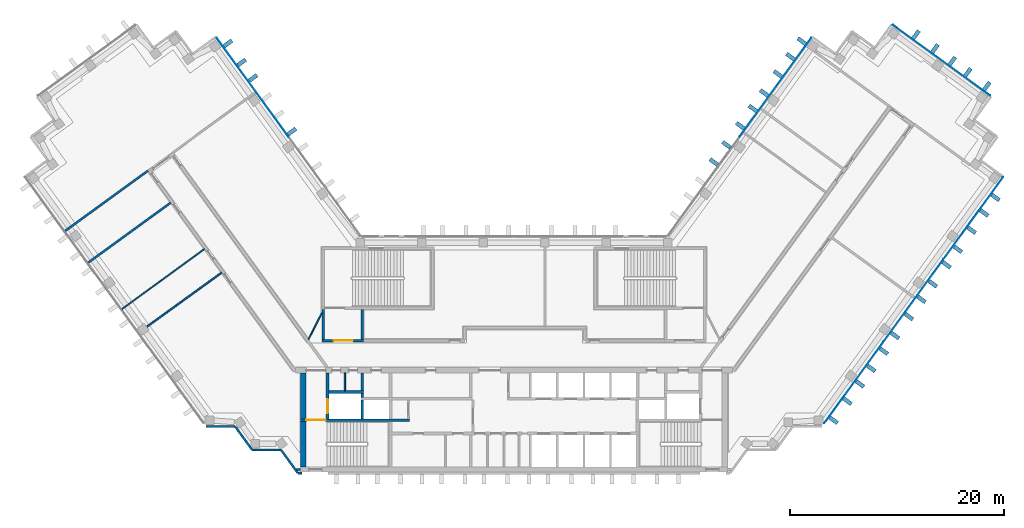
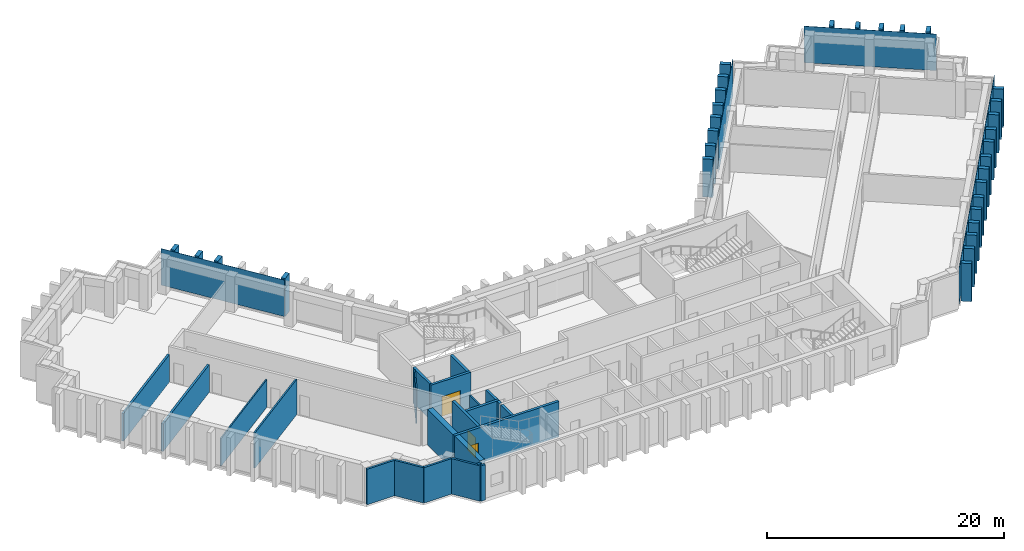
"""IFC4 building model written with IfcOpenShell, lengths in metres."""

from ifc_helpers import new_model, si_unit, direction, frame, frame_2d, origin, origin_2d, place, context, subcontext, project, spatial, rectangle, extrude, material, layer, layer_set, type_object, element, fill, aggregate, save


model = new_model("IFC4")

# Units and contexts
model_context = context("Model", 3, precision=1e-05, world=origin(), true_north=direction((0.0, 1.0)))
body_context = subcontext(model_context, "Body", "Model", "MODEL_VIEW")
ifc_project = project(units=[si_unit("LENGTHUNIT", "METRE"), si_unit("AREAUNIT", "SQUARE_METRE"), si_unit("VOLUMEUNIT", "CUBIC_METRE"), si_unit("PLANEANGLEUNIT", "RADIAN"), si_unit("MASSUNIT", "GRAM", prefix="KILO")], contexts=[model_context])

# Site, building, storey
site_placement = place(None, origin())
site = spatial("IfcSite", under=ifc_project, at=site_placement, CompositionType="ELEMENT")
building_placement = place(site_placement, origin())
building = spatial("IfcBuilding", under=site, at=building_placement, Name="Quipu Civic Tower", CompositionType="ELEMENT")
storey_1_placement = place(building_placement, frame((0.0, 0.0, 172.0)))
storey_1 = spatial("IfcBuildingStorey", under=building, at=storey_1_placement, Name="L40", CompositionType="ELEMENT", Elevation=172.0)

# Curtain wall
ifc_material_1 = material(Name="Insulated glass unit", Category="glass")
curtain_wall_type = type_object("IfcCurtainWallType", Name="Office curtain wall CW1", PredefinedType="NOTDEFINED", material=ifc_material_1)
curtain_wall_1_placement = place(storey_1_placement, origin())
curtain_wall_1 = element("IfcCurtainWall", 1, at=curtain_wall_1_placement, inside=storey_1, type_object=curtain_wall_type, Name="Office curtain wall CW1 L39 run 1", PredefinedType="NOTDEFINED")

# Storey
storey_2_placement = place(building_placement, frame((0.0, 0.0, 176.0)))
storey_2 = spatial("IfcBuildingStorey", under=building, at=storey_2_placement, Name="L41", CompositionType="ELEMENT", Elevation=176.0)

# Plate
ifc_material_2 = material(Name="Insulated glass unit", Category="glass")
ifc_layer_1 = layer(ifc_material_2, 0.028076171875)
ifc_layer_set_1 = layer_set([ifc_layer_1], Name="Insulated glass unit")
plate_type_1 = type_object("IfcPlateType", Name="Glass panel CW1", PredefinedType="CURTAIN_PANEL", material=ifc_layer_set_1)
plate_1_placement = place(storey_2_placement, frame((-24.491455078125, 25.066162109375, 0.16015625), z_axis=(0.0, 0.0, 1.0), x_axis=(-0.587788727052, 0.809014469803, 0.0)))
plate_1 = element("IfcPlate", 2, at=plate_1_placement, inside=storey_2, type_object=plate_type_1, Name="CW1 panel 2.3", PredefinedType="CURTAIN_PANEL", context=body_context, shape_type="SweptSolid", body=[
    extrude(rectangle(XDim=11.402099609375, YDim=0.028076171875, at=origin_2d()), origin(), (0.0, 0.0, 1.0), 3.760009765625),
])

aggregate(curtain_wall_1, [plate_1])

# Curtain wall, plates
curtain_wall_2_placement = place(storey_1_placement, origin())
curtain_wall_2 = element("IfcCurtainWall", 3, at=curtain_wall_2_placement, inside=storey_1, type_object=curtain_wall_type, Name="Office curtain wall CW1 L39 run 20", PredefinedType="NOTDEFINED")
plate_2_placement = place(storey_2_placement, frame((31.824951171875, -2.60888671875, 0.16015625), z_axis=(0.0, 0.0, 1.0), x_axis=(0.5877856923, 0.80901667469, 0.0)))
plate_2 = element("IfcPlate", 4, at=plate_2_placement, inside=storey_2, type_object=plate_type_1, Name="CW1 panel 1.3", PredefinedType="CURTAIN_PANEL", context=body_context, shape_type="SweptSolid", body=[
    extrude(rectangle(XDim=9.43212890625, YDim=0.028076171875, at=origin_2d()), origin(), (0.0, 0.0, 1.0), 3.760009765625),
])
plate_3_placement = place(storey_2_placement, frame((37.427734375, 5.102783203125, 0.16015625), z_axis=(0.0, 0.0, 1.0), x_axis=(0.5877856923, 0.80901667469, 0.0)))
plate_3 = element("IfcPlate", 5, at=plate_3_placement, inside=storey_2, type_object=plate_type_1, Name="CW1 panel 2.3", PredefinedType="CURTAIN_PANEL", context=body_context, shape_type="SweptSolid", body=[
    extrude(rectangle(XDim=9.471923828125, YDim=0.028076171875, at=origin_2d()), origin(), (0.0, 0.0, 1.0), 3.760009765625),
])
plate_4_placement = place(storey_2_placement, frame((43.030517578125, 12.814208984375, 0.16015625), z_axis=(0.0, 0.0, 1.0), x_axis=(0.5877856923, 0.80901667469, 0.0)))
plate_4 = element("IfcPlate", 6, at=plate_4_placement, inside=storey_2, type_object=plate_type_1, Name="CW1 panel 3.3", PredefinedType="CURTAIN_PANEL", context=body_context, shape_type="SweptSolid", body=[
    extrude(rectangle(XDim=9.43212890625, YDim=0.028076171875, at=origin_2d()), origin(), (0.0, 0.0, 1.0), 3.760009765625),
])
aggregate(curtain_wall_2, [plate_2, plate_3, plate_4])

# Curtain wall, plate
curtain_wall_3_placement = place(storey_1_placement, origin())
curtain_wall_3 = element("IfcCurtainWall", 7, at=curtain_wall_3_placement, inside=storey_1, type_object=curtain_wall_type, Name="Office curtain wall CW1 L39 run 25", PredefinedType="NOTDEFINED")
plate_5_placement = place(storey_2_placement, frame((40.04345703125, 27.58740234375, 0.16015625), z_axis=(0.0, 0.0, 1.0), x_axis=(-0.809015176832, 0.587787753918, 0.0)))
plate_5 = element("IfcPlate", 8, at=plate_5_placement, inside=storey_2, type_object=plate_type_1, Name="CW1 panel 1.3", PredefinedType="CURTAIN_PANEL", context=body_context, shape_type="SweptSolid", body=[
    extrude(rectangle(XDim=11.239990234375, YDim=0.028076171875, at=origin_2d()), origin(), (0.0, 0.0, 1.0), 3.760009765625),
])
aggregate(curtain_wall_3, [plate_5])

curtain_wall_4_placement = place(storey_1_placement, origin())
curtain_wall_4 = element("IfcCurtainWall", 9, at=curtain_wall_4_placement, inside=storey_1, type_object=curtain_wall_type, Name="Office curtain wall CW1 L39 run 30", PredefinedType="NOTDEFINED")
plate_6_placement = place(storey_2_placement, frame((24.491455078125, 25.066162109375, 0.16015625), z_axis=(0.0, 0.0, 1.0), x_axis=(-0.587788727052, -0.809014469803, 0.0)))
plate_6 = element("IfcPlate", 10, at=plate_6_placement, inside=storey_2, type_object=plate_type_1, Name="CW1 panel 1.3", PredefinedType="CURTAIN_PANEL", context=body_context, shape_type="SweptSolid", body=[
    extrude(rectangle(XDim=11.402099609375, YDim=0.028076171875, at=origin_2d()), origin(), (0.0, 0.0, 1.0), 3.760009765625),
])
aggregate(curtain_wall_4, [plate_6])

# Plates
ifc_material_3 = material(Name="Precast concrete C40/50", Category="concrete")
plate_type_2 = type_object("IfcPlateType", Name="Precast fin F2", PredefinedType="SHEET", material=ifc_material_3)
for number, where, z_axis, x_axis, name in (
    (11, (-20.79931640625, 20.92041015625, 0.080078125), (0.0, 0.0, 1.0), (-0.587787133119, 0.809015627871, 0.0), "Precast fin F2 L41.P01.6"),
    (12, (-24.443603515625, 25.936279296875, 0.080078125), (0.0, 0.0, 1.0), (-0.587787133119, 0.809015627871, 0.0), "Precast fin F2 L41.P01.9"),
    (13, (-25.501708984375, 27.392578125, 0.080078125), (0.0, 0.0, 1.0), (-0.587787133119, 0.809015627871, 0.0), "Precast fin F2 L41.P01.10"),
    (14, (-26.794677734375, 29.17236328125, 0.080078125), (0.0, 0.0, 1.0), (-0.587787133119, 0.809015627871, 0.0), "Precast fin F2 L41.P01.11"),
    (15, (29.944091796875, -6.133056640625, 0.080078125), (0.0, 0.0, 1.0), (0.587785620359, 0.809016726959, 0.0), "Precast fin F2 L41.P21.1"),
    (16, (31.2373046875, -4.353271484375, 0.080078125), (0.0, 0.0, 1.0), (0.587785620359, 0.809016726959, 0.0), "Precast fin F2 L41.P21.2"),
    (17, (32.412841796875, -2.7353515625, 0.080078125), (0.0, 0.0, 1.0), (0.587785620359, 0.809016726959, 0.0), "Precast fin F2 L41.P21.3"),
    (18, (33.470947265625, -1.279052734375, 0.080078125), (0.0, 0.0, 1.0), (0.587785620359, 0.809016726959, 0.0), "Precast fin F2 L41.P21.4"),
    (19, (34.646484375, 0.339111328125, 0.080078125), (0.0, 0.0, 1.0), (0.587785620359, 0.809016726959, 0.0), "Precast fin F2 L41.P21.5"),
    (20, (35.70458984375, 1.795166015625, 0.080078125), (0.0, 0.0, 1.0), (0.587785620359, 0.809016726959, 0.0), "Precast fin F2 L41.P21.6"),
    (21, (36.99755859375, 3.5751953125, 0.080078125), (0.0, 0.0, 1.0), (0.587785620359, 0.809016726959, 0.0), "Precast fin F2 L41.P21.7"),
    (22, (38.173095703125, 5.193115234375, 0.080078125), (0.0, 0.0, 1.0), (0.587785620359, 0.809016726959, 0.0), "Precast fin F2 L41.P21.8"),
    (23, (39.231201171875, 6.6494140625, 0.080078125), (0.0, 0.0, 1.0), (0.587785620359, 0.809016726959, 0.0), "Precast fin F2 L41.P21.9"),
    (24, (40.5244140625, 8.42919921875, 0.080078125), (0.0, 0.0, 1.0), (0.587785620359, 0.809016726959, 0.0), "Precast fin F2 L41.P21.10"),
    (25, (41.582275390625, 9.885498046875, 0.080078125), (0.0, 0.0, 1.0), (0.587785620359, 0.809016726959, 0.0), "Precast fin F2 L41.P21.11"),
    (26, (42.87548828125, 11.665283203125, 0.080078125), (0.0, 0.0, 1.0), (0.587785620359, 0.809016726959, 0.0), "Precast fin F2 L41.P21.12"),
    (27, (44.051025390625, 13.283203125, 0.080078125), (0.0, 0.0, 1.0), (0.587785620359, 0.809016726959, 0.0), "Precast fin F2 L41.P21.13"),
    (28, (45.109130859375, 14.739501953125, 0.080078125), (0.0, 0.0, 1.0), (0.587785620359, 0.809016726959, 0.0), "Precast fin F2 L41.P21.14"),
    (29, (44.298583984375, 25.17578125, 0.080078125), (0.0, 0.0, 1.0), (-0.809017072762, 0.587785144401, 0.0), "Precast fin F2 L41.P26.1"),
    (30, (42.518798828125, 26.468994140625, 0.080078125), (0.0, 0.0, 1.0), (-0.809017072762, 0.587785144401, 0.0), "Precast fin F2 L41.P26.2"),
    (31, (41.0625, 27.52685546875, 0.080078125), (0.0, 0.0, 1.0), (-0.809017072762, 0.587785144401, 0.0), "Precast fin F2 L41.P26.3"),
    (32, (39.444580078125, 28.70263671875, 0.080078125), (0.0, 0.0, 1.0), (-0.809017072762, 0.587785144401, 0.0), "Precast fin F2 L41.P26.4"),
    (33, (37.66455078125, 29.99560546875, 0.080078125), (0.0, 0.0, 1.0), (-0.809017072762, 0.587785144401, 0.0), "Precast fin F2 L41.P26.5"),
    (34, (26.95068359375, 29.386962890625, 0.080078125), (0.0, 0.0, 1.0), (-0.587787133119, -0.809015627871, 0.0), "Precast fin F2 L41.P31.1"),
    (35, (25.892578125, 27.9306640625, 0.080078125), (0.0, 0.0, 1.0), (-0.587787133119, -0.809015627871, 0.0), "Precast fin F2 L41.P31.2"),
    (36, (24.717041015625, 26.312744140625, 0.080078125), (0.0, 0.0, 1.0), (-0.587787133119, -0.809015627871, 0.0), "Precast fin F2 L41.P31.3"),
    (37, (23.424072265625, 24.53271484375, 0.080078125), (0.0, 0.0, 1.0), (-0.587787133119, -0.809015627871, 0.0), "Precast fin F2 L41.P31.4"),
    (38, (22.365966796875, 23.07666015625, 0.080078125), (0.0, 0.0, 1.0), (-0.587787133119, -0.809015627871, 0.0), "Precast fin F2 L41.P31.5"),
    (39, (21.1904296875, 21.45849609375, 0.080078125), (0.0, 0.0, 1.0), (-0.587787133119, -0.809015627871, 0.0), "Precast fin F2 L41.P31.6"),
    (40, (19.897216796875, 19.6787109375, 0.080078125), (0.0, 0.0, 1.0), (-0.587787133119, -0.809015627871, 0.0), "Precast fin F2 L41.P31.7"),
    (41, (18.7216796875, 18.060791015625, 0.080078125), (0.0, 0.0, 1.0), (-0.587787133119, -0.809015627871, 0.0), "Precast fin F2 L41.P31.8"),
):
    element("IfcPlate", number, at=place(storey_2_placement, frame(where, z_axis=z_axis, x_axis=x_axis)), inside=storey_2, type_object=plate_type_2, Name=name, PredefinedType="SHEET", context=body_context, shape_type="SweptSolid", body=[
        extrude(rectangle(XDim=0.3798828125, YDim=0.89990234375, at=origin_2d()), origin(), (0.0, 0.0, 1.0), 3.919921875),
    ])

# Walls
ifc_material_4 = material(Name="Double gypsum plasterboard with mineral wool")
ifc_layer_2 = layer(ifc_material_4, 0.14990234375)
ifc_layer_set_2 = layer_set([ifc_layer_2], Name="Double gypsum plasterboard with mineral wool")
wall_type_1 = type_object("IfcWallType", Name="Acoustic partition 150 plasterboard", PredefinedType="PARTITIONING", material=ifc_layer_set_2)
wall_1_placement = place(storey_2_placement, frame((-27.38916015625, 7.702880859375, 0.0), z_axis=(0.0, 0.0, 1.0), x_axis=(-0.809060825193, -0.587724919617, 0.0)))
element("IfcWall", 42, at=wall_1_placement, inside=storey_2, type_object=wall_type_1, Name="Partition P10", PredefinedType="PARTITIONING", context=body_context, shape_type="SweptSolid", body=[
    extrude(rectangle(XDim=8.64453125, YDim=0.14990234375, at=frame_2d((4.322265625, 0.0))), origin(), (0.0, 0.0, 1.0), 3.64990234375),
])
ifc_material_5 = material(Name="Fired clay blockwork", Category="masonry")
ifc_layer_3 = layer(ifc_material_5, 0.199951171875)
ifc_layer_set_3 = layer_set([ifc_layer_3], Name="Fired clay blockwork")
wall_type_2 = type_object("IfcWallType", Name="Blockwork wall 200", PredefinedType="SOLIDWALL", material=ifc_layer_set_3)
wall_2_placement = place(storey_2_placement, frame((-42.035888671875, 11.615478515625, 0.0), z_axis=(0.0, 0.0, 1.0), x_axis=(0.808985331811, 0.587828829605, 0.0)))
element("IfcWall", 43, at=wall_2_placement, inside=storey_2, type_object=wall_type_2, Name="Partition P02", PredefinedType="SOLIDWALL", context=body_context, shape_type="SweptSolid", body=[
    extrude(rectangle(XDim=9.56982421875, YDim=0.199951171875, at=frame_2d((4.784912109375, 0.0))), origin(), (0.0, 0.0, 1.0), 2.85009765625),
])
wall_3_placement = place(storey_2_placement, frame((-32.150146484375, 14.255859375, 0.0), z_axis=(0.0, 0.0, 1.0), x_axis=(-0.809064299351, -0.587720137068, 0.0)))
element("IfcWall", 44, at=wall_3_placement, inside=storey_2, type_object=wall_type_2, Name="Partition P04", PredefinedType="SOLIDWALL", context=body_context, shape_type="SweptSolid", body=[
    extrude(rectangle(XDim=9.5498046875, YDim=0.199951171875, at=frame_2d((4.77490234375, 0.0))), origin(), (0.0, 0.0, 1.0), 2.85009765625),
])

# Wall, opening, door
ifc_material_6 = material(Name="Concrete C70/85", Category="concrete")
ifc_layer_4 = layer(ifc_material_6, 0.25)
ifc_layer_set_4 = layer_set([ifc_layer_4], Name="Concrete C70/85")
wall_type_3 = type_object("IfcWallType", Name="Core wall 250", PredefinedType="SHEAR", material=ifc_layer_set_4)
wall_4_placement = place(storey_2_placement, frame((-9.800048828125, -6.125, 0.0), z_axis=(0.0, 0.0, 1.0), x_axis=(-1.0, 0.0, 0.0)))
wall_4 = element("IfcWall", 45, at=wall_4_placement, inside=storey_2, type_object=wall_type_3, Name="Core wall", PredefinedType="SHEAR", context=body_context, shape_type="SweptSolid", body=[
    extrude(rectangle(XDim=10.199951171875, YDim=0.25, at=frame_2d((5.10009765625, 0.0))), origin(), (0.0, 0.0, 1.0), 3.64990234375),
])
opening_1_placement = place(wall_4_placement, frame((7.85009765625, 0.0, 0.0)))
opening_1 = element("IfcOpeningElement", 46, at=opening_1_placement, cuts=wall_4, Name="Opening CD-07", PredefinedType="OPENING", context=body_context, shape_type="SweptSolid", body=[
    extrude(rectangle(XDim=1.800048828125, YDim=2.10009765625, at=frame_2d((0.89990234375, 1.050048828125))), frame((0.0, 0.135009765625, 0.0), z_axis=(0.0, -1.0, 0.0), x_axis=(1.0, 0.0, 0.0)), (0.0, 0.0, 1.0), 0.27001953125),
])
ifc_material_7 = material(Name="Fire rated steel door", Category="steel")
door_type_1 = type_object("IfcDoorType", Name="Fire door FD90 double 1800 x 2100", OperationType="NOTDEFINED", PredefinedType="DOOR", material=ifc_material_7)
door_1_placement = place(opening_1_placement, origin())
door_1 = element("IfcDoor", 47, at=door_1_placement, inside=storey_2, type_object=door_type_1, Name="Door", OperationType="DOUBLE_DOOR_SINGLE_SWING", OverallHeight=2.10009765625, OverallWidth=1.800048828125, PredefinedType="DOOR", context=body_context, shape_type="SweptSolid", body=[
    extrude(rectangle(XDim=1.800048828125, YDim=2.10009765625, at=frame_2d((0.89990234375, 1.050048828125))), frame((0.0, 0.02490234375, 0.0), z_axis=(0.0, -1.0, 0.0), x_axis=(1.0, 0.0, 0.0)), (0.0, 0.0, 1.0), 0.050048828125),
])
fill(opening_1, door_1)

wall_5_placement = place(storey_2_placement, frame((-17.47509765625, -6.0, 0.0), z_axis=(0.0, 0.0, 1.0), x_axis=(0.0, 1.0, 0.0)))
wall_5 = element("IfcWall", 48, at=wall_5_placement, inside=storey_2, type_object=wall_type_3, Name="Core wall", PredefinedType="SHEAR", context=body_context, shape_type="SweptSolid", body=[
    extrude(rectangle(XDim=4.300048828125, YDim=0.25, at=frame_2d((2.14990234375, 0.0))), origin(), (0.0, 0.0, 1.0), 3.64990234375),
])
opening_2_placement = place(wall_5_placement, frame((0.550048828125, 0.0, 0.0)))
opening_2 = element("IfcOpeningElement", 49, at=opening_2_placement, cuts=wall_5, Name="Opening LD-FF1", PredefinedType="OPENING", context=body_context, shape_type="SweptSolid", body=[
    extrude(rectangle(XDim=1.300048828125, YDim=2.10009765625, at=frame_2d((0.64990234375, 1.050048828125))), frame((0.0, 0.135009765625, 0.0), z_axis=(0.0, -1.0, 0.0), x_axis=(1.0, 0.0, 0.0)), (0.0, 0.0, 1.0), 0.27001953125),
])
ifc_material_8 = material(Name="Stainless steel", Category="steel")
door_type_2 = type_object("IfcDoorType", Name="Lift landing door 1300 x 2100", OperationType="DOUBLE_DOOR_SLIDING", PredefinedType="DOOR", material=ifc_material_8)
door_2_placement = place(opening_2_placement, origin())
door_2 = element("IfcDoor", 50, at=door_2_placement, inside=storey_2, type_object=door_type_2, Name="Landing door FF1", OperationType="DOUBLE_DOOR_SLIDING", OverallHeight=2.10009765625, OverallWidth=1.300048828125, PredefinedType="DOOR", context=body_context, shape_type="SweptSolid", body=[
    extrude(rectangle(XDim=1.300048828125, YDim=2.10009765625, at=frame_2d((0.64990234375, 1.050048828125))), frame((0.0, 0.02490234375, 0.0), z_axis=(0.0, -1.0, 0.0), x_axis=(1.0, 0.0, 0.0)), (0.0, 0.0, 1.0), 0.050048828125),
])
fill(opening_2, door_2)

# Walls
wall_6_placement = place(storey_2_placement, frame((-14.22509765625, -6.0, 0.0), z_axis=(0.0, 0.0, 1.0), x_axis=(0.0, 1.0, 0.0)))
element("IfcWall", 51, at=wall_6_placement, inside=storey_2, type_object=wall_type_3, Name="Core wall", PredefinedType="SHEAR", context=body_context, shape_type="SweptSolid", body=[
    extrude(rectangle(XDim=1.75, YDim=0.25, at=frame_2d((0.875, 0.0))), origin(), (0.0, 0.0, 1.0), 3.64990234375),
])
wall_7_placement = place(storey_2_placement, frame((-14.22509765625, -4.0, 0.0), z_axis=(0.0, 0.0, 1.0), x_axis=(0.0, 1.0, 0.0)))
element("IfcWall", 52, at=wall_7_placement, inside=storey_2, type_object=wall_type_3, Name="Core wall", PredefinedType="SHEAR", context=body_context, shape_type="SweptSolid", body=[
    extrude(rectangle(XDim=0.39990234375, YDim=0.25, at=frame_2d((0.199951171875, 0.0))), origin(), (0.0, 0.0, 1.0), 3.64990234375),
])
wall_8_placement = place(storey_2_placement, frame((-17.35009765625, -3.47509765625, 0.0), z_axis=(0.0, 0.0, 1.0), x_axis=(1.0, 0.0, 0.0)))
element("IfcWall", 53, at=wall_8_placement, inside=storey_2, type_object=wall_type_3, Name="Core wall", PredefinedType="SHEAR", context=body_context, shape_type="SweptSolid", body=[
    extrude(rectangle(XDim=3.25, YDim=0.25, at=frame_2d((1.625, 0.0))), origin(), (0.0, 0.0, 1.0), 3.64990234375),
])
wall_9_placement = place(storey_2_placement, frame((-14.22509765625, -3.35009765625, 0.0), z_axis=(0.0, 0.0, 1.0), x_axis=(0.0, 1.0, 0.0)))
element("IfcWall", 54, at=wall_9_placement, inside=storey_2, type_object=wall_type_3, Name="Core wall", PredefinedType="SHEAR", context=body_context, shape_type="SweptSolid", body=[
    extrude(rectangle(XDim=1.650146484375, YDim=0.25, at=frame_2d((0.8251953125, 0.0))), origin(), (0.0, 0.0, 1.0), 3.64990234375),
])

# Wall, opening, door
wall_10_placement = place(storey_2_placement, frame((-18.0, 1.324951171875, 0.0), z_axis=(0.0, 0.0, 1.0), x_axis=(1.0, 0.0, 0.0)))
wall_10 = element("IfcWall", 55, at=wall_10_placement, inside=storey_2, type_object=wall_type_3, Name="Core wall", PredefinedType="SHEAR", context=body_context, shape_type="SweptSolid", body=[
    extrude(rectangle(XDim=3.89990234375, YDim=0.25, at=frame_2d((1.949951171875, 0.0))), origin(), (0.0, 0.0, 1.0), 3.64990234375),
])
opening_3_placement = place(wall_10_placement, frame((1.10009765625, 0.0, 0.0)))
opening_3 = element("IfcOpeningElement", 56, at=opening_3_placement, cuts=wall_10, Name="Opening CD-21", PredefinedType="OPENING", context=body_context, shape_type="SweptSolid", body=[
    extrude(rectangle(XDim=1.800048828125, YDim=2.10009765625, at=frame_2d((0.89990234375, 1.050048828125))), frame((0.0, 0.135009765625, 0.0), z_axis=(0.0, -1.0, 0.0), x_axis=(1.0, 0.0, 0.0)), (0.0, 0.0, 1.0), 0.27001953125),
])
door_3_placement = place(opening_3_placement, origin())
door_3 = element("IfcDoor", 57, at=door_3_placement, inside=storey_2, type_object=door_type_1, Name="Lobby door", OperationType="DOUBLE_DOOR_SINGLE_SWING", OverallHeight=2.10009765625, OverallWidth=1.800048828125, PredefinedType="DOOR", context=body_context, shape_type="SweptSolid", body=[
    extrude(rectangle(XDim=1.800048828125, YDim=2.10009765625, at=frame_2d((0.89990234375, 1.050048828125))), frame((0.0, 0.02490234375, 0.0), z_axis=(0.0, -1.0, 0.0), x_axis=(1.0, 0.0, 0.0)), (0.0, 0.0, 1.0), 0.050048828125),
])
fill(opening_3, door_3)

# Walls
for number, where, z_axis, x_axis, name in (
    (58, (-17.875, 1.449951171875, 0.0), (0.0, 0.0, 1.0), (0.0, 1.0, 0.0), "Core wall"),
    (59, (-14.22509765625, 1.449951171875, 0.0), (0.0, 0.0, 1.0), (0.0, 1.0, 0.0), "Core wall"),
):
    element("IfcWall", number, at=place(storey_2_placement, frame(where, z_axis=z_axis, x_axis=x_axis)), inside=storey_2, type_object=wall_type_3, Name=name, PredefinedType="SHEAR", context=body_context, shape_type="SweptSolid", body=[
        extrude(rectangle(XDim=2.800048828125, YDim=0.25, at=frame_2d((1.39990234375, 0.0))), origin(), (0.0, 0.0, 1.0), 3.64990234375),
    ])
ifc_material_9 = material(Name="Concrete C70/85", Category="concrete")
ifc_layer_5 = layer(ifc_material_9, 0.5)
ifc_layer_set_5 = layer_set([ifc_layer_5], Name="Concrete C70/85")
wall_type_4 = type_object("IfcWallType", Name="Core wall 500", PredefinedType="SHEAR", material=ifc_layer_set_5)
wall_11_placement = place(storey_2_placement, frame((-19.75, -10.5, 0.0), z_axis=(0.0, 0.0, 1.0), x_axis=(0.0, 1.0, 0.0)))
element("IfcWall", 60, at=wall_11_placement, inside=storey_2, type_object=wall_type_4, Name="Core wall", PredefinedType="SHEAR", context=body_context, shape_type="SweptSolid", body=[
    extrude(rectangle(XDim=4.25, YDim=0.5, at=frame_2d((2.125, 0.0))), origin(), (0.0, 0.0, 1.0), 3.64990234375),
])
wall_12_placement = place(storey_2_placement, frame((-19.75, -6.0, 0.0), z_axis=(0.0, 0.0, 1.0), x_axis=(0.0, 1.0, 0.0)))
element("IfcWall", 61, at=wall_12_placement, inside=storey_2, type_object=wall_type_4, Name="Core wall", PredefinedType="SHEAR", context=body_context, shape_type="SweptSolid", body=[
    extrude(rectangle(XDim=4.300048828125, YDim=0.5, at=frame_2d((2.14990234375, 0.0))), origin(), (0.0, 0.0, 1.0), 3.64990234375),
])
ifc_material_10 = material(Name="Gypsum plasterboard on light gauge framing")
ifc_layer_6 = layer(ifc_material_10, 0.1201171875)
ifc_layer_set_6 = layer_set([ifc_layer_6], Name="Gypsum plasterboard on light gauge framing")
wall_type_5 = type_object("IfcWallType", Name="Partition 120 plasterboard", PredefinedType="PARTITIONING", material=ifc_layer_set_6)
wall_13_placement = place(storey_2_placement, frame((-36.71240234375, 4.288330078125, 0.0), z_axis=(0.0, 0.0, 1.0), x_axis=(0.807606997933, 0.589721067023, 0.0)))
element("IfcWall", 62, at=wall_13_placement, inside=storey_2, type_object=wall_type_5, Name="Partition P05", PredefinedType="PARTITIONING", context=body_context, shape_type="SweptSolid", body=[
    extrude(rectangle(XDim=9.550048828125, YDim=0.1201171875, at=frame_2d((4.77490234375, 0.0))), origin(), (0.0, 0.0, 1.0), 2.85009765625),
])
wall_14_placement = place(storey_2_placement, frame((-19.260986328125, 1.449951171875, 0.0), z_axis=(0.0, 0.0, 1.0), x_axis=(0.453950796792, 0.891026752736, 0.0)))
element("IfcWall", 63, at=wall_14_placement, inside=storey_2, type_object=wall_type_5, Name="Partition P13", PredefinedType="PARTITIONING", context=body_context, shape_type="SweptSolid", body=[
    extrude(rectangle(XDim=2.77783203125, YDim=0.1201171875, at=frame_2d((1.388916015625, 0.0))), origin(), (0.0, 0.0, 1.0), 3.64990234375),
])
ifc_material_11 = material(Name="Gypsum board partition")
ifc_layer_7 = layer(ifc_material_11, 0.14990234375)
ifc_layer_set_7 = layer_set([ifc_layer_7], Name="Gypsum board partition")
wall_type_6 = type_object("IfcWallType", Name="Partition 150", PredefinedType="PARTITIONING", material=ifc_layer_set_7)
wall_15_placement = place(storey_2_placement, frame((-15.85009765625, -3.35009765625, 0.0), z_axis=(0.0, 0.0, 1.0), x_axis=(0.0, 1.0, 0.0)))
element("IfcWall", 64, at=wall_15_placement, inside=storey_2, type_object=wall_type_6, Name="Partition", PredefinedType="PARTITIONING", context=body_context, shape_type="SweptSolid", body=[
    extrude(rectangle(XDim=1.650146484375, YDim=0.14990234375, at=frame_2d((0.8251953125, 0.0))), origin(), (0.0, 0.0, 1.0), 3.64990234375),
])
ifc_material_12 = material(Name="Precast concrete C40/50", Category="concrete")
wall_type_7 = type_object("IfcWallType", Name="Precast cladding wall", PredefinedType="SOLIDWALL", material=ifc_material_12)
wall_16_placement = place(storey_2_placement, frame((-28.829833984375, -6.71923828125, 0.0), z_axis=(0.0, 0.0, 1.0), x_axis=(1.0, 0.0, 0.0)))
element("IfcWall", 65, at=wall_16_placement, inside=storey_2, type_object=wall_type_7, Name="Precast cladding wall L41 P09", PredefinedType="SOLIDWALL", context=body_context, shape_type="SweptSolid", body=[
    extrude(rectangle(XDim=2.699951171875, YDim=0.199951171875, at=frame_2d((1.35009765625, 0.0))), origin(), (0.0, 0.0, 1.0), 3.64990234375),
])
wall_17_placement = place(storey_2_placement, frame((-26.1201171875, -6.72412109375, 0.0), z_axis=(0.0, 0.0, 1.0), x_axis=(0.587720002413, -0.809064397168, 0.0)))
element("IfcWall", 66, at=wall_17_placement, inside=storey_2, type_object=wall_type_7, Name="Precast cladding wall L41 P10", PredefinedType="SOLIDWALL", context=body_context, shape_type="SweptSolid", body=[
    extrude(rectangle(XDim=2.7001953125, YDim=0.199951171875, at=frame_2d((1.35009765625, 0.0))), origin(), (0.0, 0.0, 1.0), 3.64990234375),
])
wall_18_placement = place(storey_2_placement, frame((-24.542724609375, -8.90380859375, 0.0), z_axis=(0.0, 0.0, 1.0), x_axis=(1.0, 0.0, 0.0)))
element("IfcWall", 67, at=wall_18_placement, inside=storey_2, type_object=wall_type_7, Name="Precast cladding wall L41 P11", PredefinedType="SOLIDWALL", context=body_context, shape_type="SweptSolid", body=[
    extrude(rectangle(XDim=2.699951171875, YDim=0.199951171875, at=frame_2d((1.35009765625, 0.0))), origin(), (0.0, 0.0, 1.0), 3.64990234375),
])
wall_19_placement = place(storey_2_placement, frame((-21.8330078125, -8.90869140625, 0.0), z_axis=(0.0, 0.0, 1.0), x_axis=(0.587766567315, -0.809030569476, 0.0)))
element("IfcWall", 68, at=wall_19_placement, inside=storey_2, type_object=wall_type_7, Name="Precast cladding wall L41 P12", PredefinedType="SOLIDWALL", context=body_context, shape_type="SweptSolid", body=[
    extrude(rectangle(XDim=2.687744140625, YDim=0.199951171875, at=frame_2d((1.34375, 0.0))), origin(), (0.0, 0.0, 1.0), 3.64990234375),
])
wall_20_placement = place(storey_2_placement, frame((-20.255859375, -11.087890625, 0.0), z_axis=(0.0, 0.0, 1.0), x_axis=(1.0, 0.0, 0.0)))
element("IfcWall", 69, at=wall_20_placement, inside=storey_2, type_object=wall_type_7, Name="Precast cladding wall L41 P13", PredefinedType="SOLIDWALL", context=body_context, shape_type="SweptSolid", body=[
    extrude(rectangle(XDim=0.40576171875, YDim=0.199951171875, at=frame_2d((0.202880859375, 0.0))), origin(), (0.0, 0.0, 1.0), 3.64990234375),
])
wall_21_placement = place(storey_2_placement, frame((-19.97998046875, -10.75, 0.0), z_axis=(0.0, 0.0, 1.0), x_axis=(-1.0, 0.0, 0.0)))
element("IfcWall", 70, at=wall_21_placement, inside=storey_2, type_object=wall_type_7, Name="Precast cladding return L41 W", PredefinedType="SOLIDWALL", context=body_context, shape_type="SweptSolid", body=[
    extrude(rectangle(XDim=0.41650390625, YDim=0.199951171875, at=frame_2d((0.208251953125, 0.0))), origin(), (0.0, 0.0, 1.0), 3.64990234375),
])

save(model, "model.ifc")
